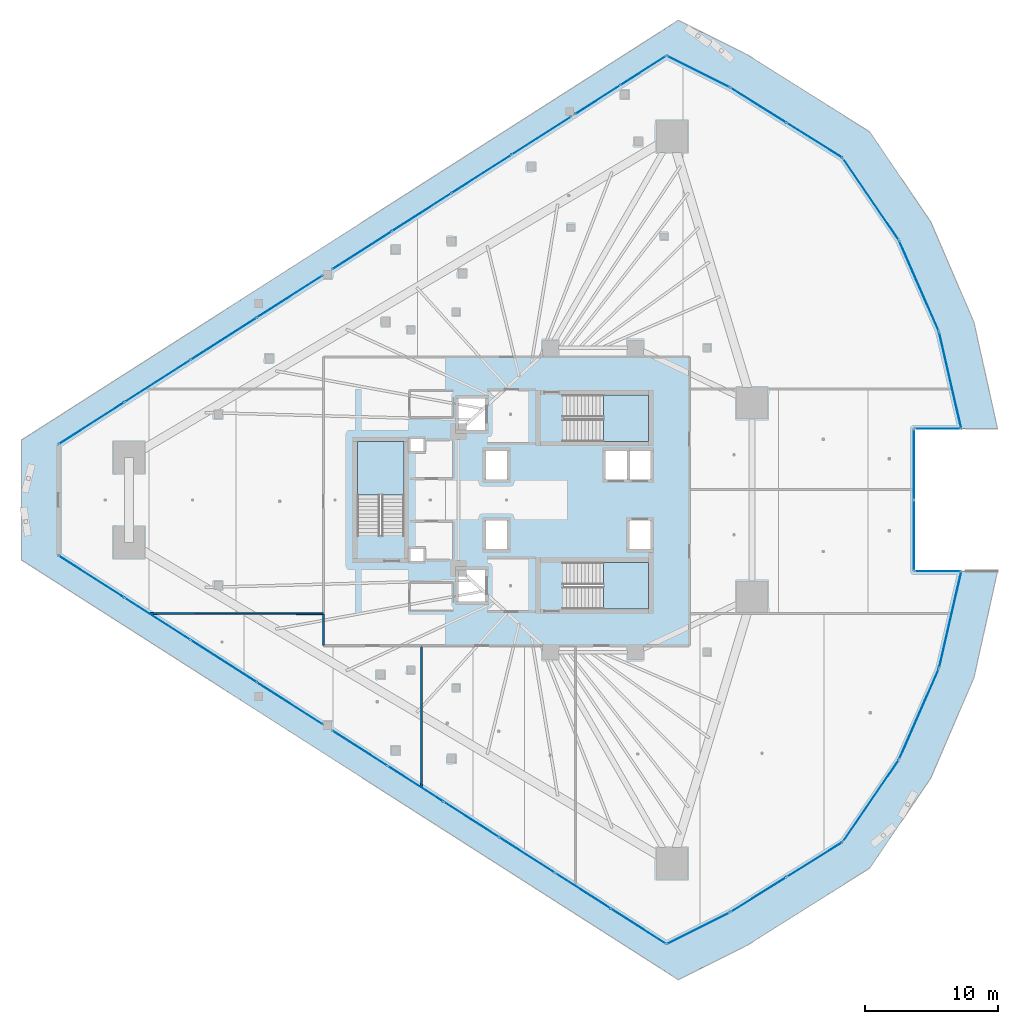
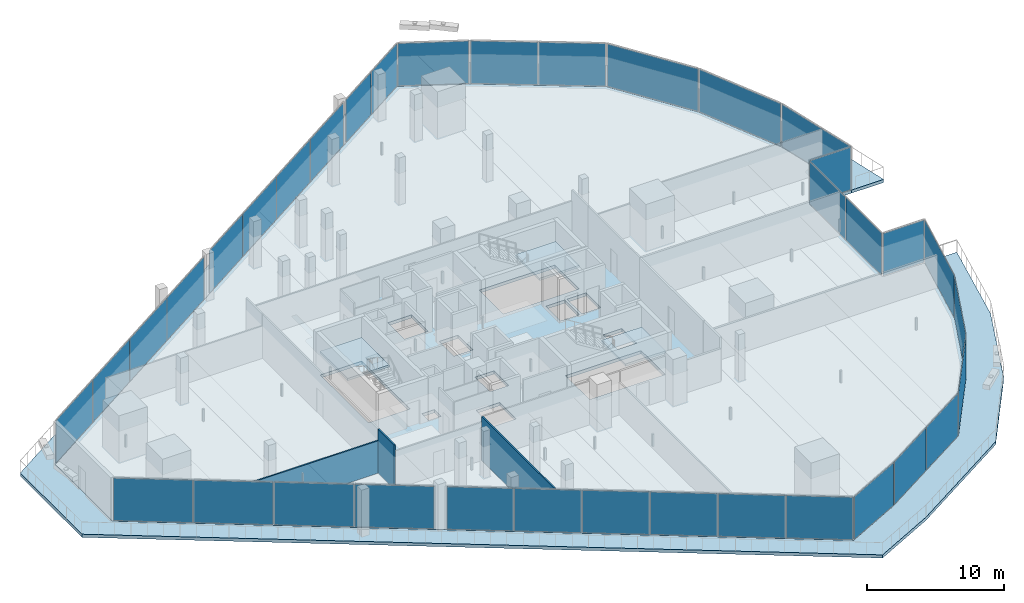
# One storey, part 27 of 44: 36 plates, 5 slabs, 3 walls, 21 elements without a shape of their own.
"""IFC4 building model written with IfcOpenShell, lengths in metres."""

import ifcopenshell
import ifcopenshell.guid

model = None  # the IFC model being written
_history = None  # IfcOwnerHistory: only IFC2X3 demands one
_inside = {}  # id of a spatial element -> (the spatial element, [elements in it])
_under = {}  # id of a project, library or spatial element -> (it, [spatial elements below it])
_declared = {}  # id of a project -> (the project, [libraries it declares])
_typed = {}  # id of a type object -> (the type object, [elements of that type])
_made_of = {}  # id of a material, layer set ... -> (it, [elements and type objects made of it])


def new_model(schema):
    """Start an empty IFC model of exactly this schema.

    Asked for "IFC4X3", IfcOpenShell would pick the latest addendum, in which some entities
    have other attributes; the version numbers below select the first issue.
    IFC2X3 requires an IfcOwnerHistory on every rooted entity: one is made here for all.
    """
    global model, _history
    if schema == "IFC4X3":
        model = ifcopenshell.file(schema_version=(4, 3, 0, 0))
    else:
        model = ifcopenshell.file(schema=schema)
    _inside.clear()
    _under.clear()
    _declared.clear()
    _typed.clear()
    _made_of.clear()
    _history = None
    if model.schema == "IFC2X3":
        org = make("IfcOrganization", Name="unknown")
        user = make(
            "IfcPersonAndOrganization",
            ThePerson=make("IfcPerson", FamilyName="unknown"),
            TheOrganization=org,
        )
        app = make(
            "IfcApplication",
            ApplicationDeveloper=org,
            Version="unknown",
            ApplicationFullName="unknown",
            ApplicationIdentifier="unknown",
        )
        _history = make(
            "IfcOwnerHistory",
            OwningUser=user,
            OwningApplication=app,
            ChangeAction="ADDED",
            CreationDate=0,
        )
    return model


def make(cls, **values):
    """One entity of the class cls with the attributes given. An attribute that is None is left unset."""
    return model.create_entity(
        cls, **{name: value for name, value in values.items() if value is not None}
    )


def rooted(cls, **values):
    """An entity with a GlobalId (a new one), such as an element, a storey or a relation."""
    return make(cls, GlobalId=ifcopenshell.guid.new(), OwnerHistory=_history, **values)


def si_unit(unit_type, name, prefix=None):
    """IfcSIUnit, for example si_unit("LENGTHUNIT", "METRE", prefix="MILLI")."""
    return make("IfcSIUnit", UnitType=unit_type, Prefix=prefix, Name=name)


def assignment(units):
    """IfcUnitAssignment: the units of a project."""
    return None if units is None else make("IfcUnitAssignment", Units=units)


def point(xyz):
    """IfcCartesianPoint."""
    return None if xyz is None else make("IfcCartesianPoint", Coordinates=xyz)


def direction(xyz):
    """IfcDirection."""
    return None if xyz is None else make("IfcDirection", DirectionRatios=xyz)


def frame(location, z_axis=None, x_axis=None):
    """IfcAxis2Placement3D, a coordinate frame: its origin and axes. An axis left out is left unset."""
    return make(
        "IfcAxis2Placement3D",
        Location=point(location),
        Axis=direction(z_axis),
        RefDirection=direction(x_axis),
    )


def frame_2d(location, x_axis=None):
    """IfcAxis2Placement2D, a coordinate frame in the plane: its origin and x axis."""
    return make(
        "IfcAxis2Placement2D", Location=point(location), RefDirection=direction(x_axis)
    )


def origin():
    """The frame at (0, 0, 0) with its axes left unset."""
    return frame((0.0, 0.0, 0.0))


def origin_2d():
    """The frame at (0, 0) in the plane with its x axis left unset."""
    return frame_2d((0.0, 0.0))


def place(relative_to, where):
    """IfcLocalPlacement: puts the frame where relative to a parent placement (None: the world)."""
    return make(
        "IfcLocalPlacement", PlacementRelTo=relative_to, RelativePlacement=where
    )


def context(
    kind, dimensions, precision=None, world=None, true_north=None, identifier=None
):
    """IfcGeometricRepresentationContext, for example the 3D "Model" context."""
    return make(
        "IfcGeometricRepresentationContext",
        ContextIdentifier=identifier,
        ContextType=kind,
        CoordinateSpaceDimension=dimensions,
        Precision=precision,
        WorldCoordinateSystem=world,
        TrueNorth=true_north,
    )


def subcontext(parent, identifier, kind, view, scale=None):
    """IfcGeometricRepresentationSubContext, for example "Body" below "Model"."""
    return make(
        "IfcGeometricRepresentationSubContext",
        ContextIdentifier=identifier,
        ContextType=kind,
        ParentContext=parent,
        TargetScale=scale,
        TargetView=view,
    )


def project(units=None, contexts=None):
    """IfcProject with its units and contexts."""
    return rooted(
        "IfcProject",
        Name="project",
        RepresentationContexts=contexts,
        UnitsInContext=assignment(units),
    )


def spatial(cls, under=None, at=None, **own):
    """A site, building, storey or space (cls), placed at a placement, below another one or the project."""
    s = rooted(cls, ObjectPlacement=at, **own)
    if under is not None:
        _under.setdefault(under.id(), (under, []))[1].append(s)
    return s


def polyline(points):
    """IfcPolyline through the points."""
    return make("IfcPolyline", Points=[point(p) for p in points])


def profile(cls, at=None, kind="AREA", **sizes):
    """A parametric profile (cls). Its sizes go by their IFC names, for example OverallWidth=200.0."""
    return make(cls, ProfileType=kind, Position=at, **sizes)


def rectangle(**sizes):
    """IfcRectangleProfileDef."""
    return profile("IfcRectangleProfileDef", **sizes)


def outline(outer, holes=None, kind="AREA"):
    """IfcArbitraryClosedProfileDef: a profile drawn as a closed curve; with holes, ...WithVoids."""
    if holes is None:
        return make("IfcArbitraryClosedProfileDef", ProfileType=kind, OuterCurve=outer)
    return make(
        "IfcArbitraryProfileDefWithVoids",
        ProfileType=kind,
        OuterCurve=outer,
        InnerCurves=holes,
    )


def extrude(swept, where, along, depth):
    """IfcExtrudedAreaSolid: the profile swept, set in the frame where, extruded along a direction by depth."""
    return make(
        "IfcExtrudedAreaSolid",
        SweptArea=swept,
        Position=where,
        ExtrudedDirection=direction(along),
        Depth=depth,
    )


def shape(context_of_items, identifier, shape_type, items):
    """IfcShapeRepresentation: the items that make up one representation, for example the "Body"."""
    return make(
        "IfcShapeRepresentation",
        ContextOfItems=context_of_items,
        RepresentationIdentifier=identifier,
        RepresentationType=shape_type,
        Items=items,
    )


def material(Name=None, Category=None):
    """IfcMaterial."""
    return make("IfcMaterial", Name=Name, Category=Category)


def layer(
    of_material, thickness, ventilated=None, Name=None, Category=None, Priority=None
):
    """IfcMaterialLayer: one layer of a wall or slab, of a material (None: an air gap)."""
    return make(
        "IfcMaterialLayer",
        Material=of_material,
        LayerThickness=thickness,
        IsVentilated=ventilated,
        Name=Name,
        Category=Category,
        Priority=Priority,
    )


def layer_set(layers, Name=None):
    """IfcMaterialLayerSet."""
    return make("IfcMaterialLayerSet", MaterialLayers=layers, LayerSetName=Name)


def made_of(thing, what):
    """Note that an element or type object is made of a material, layer set ...; save() writes the relation."""
    if what is not None:
        _made_of.setdefault(what.id(), (what, []))[1].append(thing)
    return thing


def type_object(cls, material=None, **own):
    """A type object (cls), such as IfcWallType, which elements share."""
    return made_of(rooted(cls, **own), material)


def element(
    cls,
    number,
    at=None,
    inside=None,
    cuts=None,
    type_object=None,
    material=None,
    context=None,
    identifier="Body",
    shape_type=None,
    held_by="IfcProductDefinitionShape",
    body=None,
    shapes=None,
    **own,
):
    """One element of the class cls, such as IfcWall. Its Tag is "e" and its number.

    at: its placement. inside: the storey or other place that contains it. cuts: it is an
    opening in that element (IfcRelVoidsElement). A single representation is given by context,
    identifier, shape_type and body (its items); several are given by shapes. held_by: the class
    of the entity that holds the representations. save() writes the other relations.
    """
    e = rooted(cls, Tag="e%d" % number, ObjectPlacement=at, **own)
    if body is not None:
        shapes = [shape(context, identifier, shape_type, body)]
    if shapes is not None:
        e.Representation = make(held_by, Representations=shapes)
    if inside is not None:
        _inside.setdefault(inside.id(), (inside, []))[1].append(e)
    if cuts is not None:
        rooted(
            "IfcRelVoidsElement", RelatingBuildingElement=cuts, RelatedOpeningElement=e
        )
    if type_object is not None:
        _typed.setdefault(type_object.id(), (type_object, []))[1].append(e)
    return made_of(e, material)


def aggregate(whole, parts):
    """IfcRelAggregates: a whole, such as a stair, and the parts it consists of."""
    return rooted("IfcRelAggregates", RelatingObject=whole, RelatedObjects=parts)


def save(model, path):
    """Write the relations noted so far, then the file.

    IfcRelAggregates (storeys below a building ...), IfcRelContainedInSpatialStructure (elements
    in a storey), IfcRelDefinesByType, IfcRelAssociatesMaterial and IfcRelDeclares: one each for
    every whole, place, type object, material and project.
    """
    for whole, parts in _under.values():
        aggregate(whole, parts)
    for where, things in _inside.values():
        rooted(
            "IfcRelContainedInSpatialStructure",
            RelatedElements=things,
            RelatingStructure=where,
        )
    for kind, things in _typed.values():
        rooted("IfcRelDefinesByType", RelatedObjects=things, RelatingType=kind)
    for what, things in _made_of.values():
        rooted("IfcRelAssociatesMaterial", RelatedObjects=things, RelatingMaterial=what)
    for by, libraries in _declared.values():
        rooted("IfcRelDeclares", RelatingContext=by, RelatedDefinitions=libraries)
    model.write(path)


model = new_model("IFC4")

# Units and contexts
model_context = context("Model", 3, precision=1e-05, world=origin(), true_north=direction((0.0, 1.0)))
body_context = subcontext(model_context, "Body", "Model", "MODEL_VIEW")
ifc_project = project(units=[si_unit("LENGTHUNIT", "METRE"), si_unit("AREAUNIT", "SQUARE_METRE"), si_unit("VOLUMEUNIT", "CUBIC_METRE"), si_unit("PLANEANGLEUNIT", "RADIAN"), si_unit("MASSUNIT", "GRAM", prefix="KILO")], contexts=[model_context])

# Site, building, storey
site_placement = place(None, origin())
site = spatial("IfcSite", under=ifc_project, at=site_placement, CompositionType="ELEMENT")
building_placement = place(site_placement, origin())
building = spatial("IfcBuilding", under=site, at=building_placement, Name="Qorvath Tower", CompositionType="ELEMENT")
storey_placement = place(building_placement, frame((0.0, 0.0, 40.800048828125)))
storey = spatial("IfcBuildingStorey", under=building, at=storey_placement, Name="L08", CompositionType="ELEMENT", Elevation=40.800048828125)

# Curtain wall, plates
ifc_material_1 = material(Name="Anodised aluminium and triple low-E glass", Category="aluminium")
ifc_layer_1 = layer(ifc_material_1, 0.179931640625)
ifc_layer_set_1 = layer_set([ifc_layer_1], Name="CW-SYS-2")
curtain_wall_type = type_object("IfcCurtainWallType", Name="CW-SYS-2", PredefinedType="NOTDEFINED", material=ifc_layer_set_1)
curtain_wall_1_placement = place(storey_placement, origin())
curtain_wall_1 = element("IfcCurtainWall", 1, at=curtain_wall_1_placement, inside=storey, type_object=curtain_wall_type, Name="Curtain Wall CW-2 CW-T-L08-2.1", PredefinedType="NOTDEFINED")
ifc_material_2 = material(Name="Low-E triple insulated glass", Category="glass")
ifc_layer_2 = layer(ifc_material_2, 0.031982421875)
ifc_layer_set_2 = layer_set([ifc_layer_2], Name="CWP-GLZ-32")
plate_type = type_object("IfcPlateType", Name="CWP-GLZ-32", PredefinedType="CURTAIN_PANEL", material=ifc_layer_set_2)
plate_1_placement = place(storey_placement, frame((-58.10009765625, -5.7744140625, 0.06494140625), z_axis=(0.0, 0.0, 1.0), x_axis=(0.842605152044, -0.538531853978, 0.0)))
plate_1 = element("IfcPlate", 2, at=plate_1_placement, type_object=plate_type, Name="CW-2 panel 1.1", PredefinedType="CURTAIN_PANEL", context=body_context, shape_type="SweptSolid", body=[
    extrude(rectangle(XDim=5.806396484375, YDim=0.031982421875, at=origin_2d()), origin(), (0.0, 0.0, 1.0), 3.7900390625),
])
plate_2_placement = place(storey_placement, frame((-53.13916015625, -8.945068359375, 0.06494140625), z_axis=(0.0, 0.0, 1.0), x_axis=(0.842605152044, -0.538531853978, 0.0)))
plate_2 = element("IfcPlate", 3, at=plate_2_placement, type_object=plate_type, Name="CW-2 panel 2.1", PredefinedType="CURTAIN_PANEL", context=body_context, shape_type="SweptSolid", body=[
    extrude(rectangle(XDim=5.8388671875, YDim=0.031982421875, at=origin_2d()), origin(), (0.0, 0.0, 1.0), 3.7900390625),
])
plate_3_placement = place(storey_placement, frame((-48.164306640625, -12.12451171875, 0.06494140625), z_axis=(0.0, 0.0, 1.0), x_axis=(0.842605152044, -0.538531853978, 0.0)))
plate_3 = element("IfcPlate", 4, at=plate_3_placement, type_object=plate_type, Name="CW-2 panel 3.1", PredefinedType="CURTAIN_PANEL", context=body_context, shape_type="SweptSolid", body=[
    extrude(rectangle(XDim=5.8388671875, YDim=0.031982421875, at=origin_2d()), origin(), (0.0, 0.0, 1.0), 3.7900390625),
])
plate_4_placement = place(storey_placement, frame((-43.203369140625, -15.29541015625, 0.06494140625), z_axis=(0.0, 0.0, 1.0), x_axis=(0.842605152044, -0.538531853978, 0.0)))
plate_4 = element("IfcPlate", 5, at=plate_4_placement, type_object=plate_type, Name="CW-2 panel 4.1", PredefinedType="CURTAIN_PANEL", context=body_context, shape_type="SweptSolid", body=[
    extrude(rectangle(XDim=5.806396484375, YDim=0.031982421875, at=origin_2d()), origin(), (0.0, 0.0, 1.0), 3.7900390625),
])
aggregate(curtain_wall_1, [plate_1, plate_2, plate_3, plate_4])

curtain_wall_2_placement = place(storey_placement, origin())
curtain_wall_2 = element("IfcCurtainWall", 6, at=curtain_wall_2_placement, inside=storey, type_object=curtain_wall_type, Name="Curtain Wall CW-2 CW-T-L08-2.2", PredefinedType="NOTDEFINED")
plate_5_placement = place(storey_placement, frame((-37.916015625, -18.674560546875, 0.06494140625), z_axis=(0.0, 0.0, 1.0), x_axis=(0.842602136698, -0.538536571861, 0.0)))
plate_5 = element("IfcPlate", 7, at=plate_5_placement, type_object=plate_type, Name="CW-2 panel 1.1", PredefinedType="CURTAIN_PANEL", context=body_context, shape_type="SweptSolid", body=[
    extrude(rectangle(XDim=4.879638671875, YDim=0.031982421875, at=origin_2d()), origin(), (0.0, 0.0, 1.0), 3.7900390625),
])
plate_6_placement = place(storey_placement, frame((-33.73583984375, -21.34619140625, 0.06494140625), z_axis=(0.0, 0.0, 1.0), x_axis=(0.842602136698, -0.538536571861, 0.0)))
plate_6 = element("IfcPlate", 8, at=plate_6_placement, type_object=plate_type, Name="CW-2 panel 2.1", PredefinedType="CURTAIN_PANEL", context=body_context, shape_type="SweptSolid", body=[
    extrude(rectangle(XDim=4.912109375, YDim=0.031982421875, at=origin_2d()), origin(), (0.0, 0.0, 1.0), 3.7900390625),
])
plate_7_placement = place(storey_placement, frame((-29.542236328125, -24.026611328125, 0.06494140625), z_axis=(0.0, 0.0, 1.0), x_axis=(0.842602136698, -0.538536571861, 0.0)))
plate_7 = element("IfcPlate", 9, at=plate_7_placement, type_object=plate_type, Name="CW-2 panel 3.1", PredefinedType="CURTAIN_PANEL", context=body_context, shape_type="SweptSolid", body=[
    extrude(rectangle(XDim=4.912109375, YDim=0.031982421875, at=origin_2d()), origin(), (0.0, 0.0, 1.0), 3.7900390625),
])
plate_8_placement = place(storey_placement, frame((-25.348388671875, -26.70703125, 0.06494140625), z_axis=(0.0, 0.0, 1.0), x_axis=(0.842602136698, -0.538536571861, 0.0)))
plate_8 = element("IfcPlate", 10, at=plate_8_placement, type_object=plate_type, Name="CW-2 panel 4.1", PredefinedType="CURTAIN_PANEL", context=body_context, shape_type="SweptSolid", body=[
    extrude(rectangle(XDim=4.912109375, YDim=0.031982421875, at=origin_2d()), origin(), (0.0, 0.0, 1.0), 3.7900390625),
])
plate_9_placement = place(storey_placement, frame((-21.154541015625, -29.387451171875, 0.06494140625), z_axis=(0.0, 0.0, 1.0), x_axis=(0.842602136698, -0.538536571861, 0.0)))
plate_9 = element("IfcPlate", 11, at=plate_9_placement, type_object=plate_type, Name="CW-2 panel 5.1", PredefinedType="CURTAIN_PANEL", context=body_context, shape_type="SweptSolid", body=[
    extrude(rectangle(XDim=4.912109375, YDim=0.031982421875, at=origin_2d()), origin(), (0.0, 0.0, 1.0), 3.7900390625),
])
plate_10_placement = place(storey_placement, frame((-16.974609375, -32.05908203125, 0.06494140625), z_axis=(0.0, 0.0, 1.0), x_axis=(0.842602136698, -0.538536571861, 0.0)))
plate_10 = element("IfcPlate", 12, at=plate_10_placement, type_object=plate_type, Name="CW-2 panel 6.1", PredefinedType="CURTAIN_PANEL", context=body_context, shape_type="SweptSolid", body=[
    extrude(rectangle(XDim=4.879638671875, YDim=0.031982421875, at=origin_2d()), origin(), (0.0, 0.0, 1.0), 3.7900390625),
])
aggregate(curtain_wall_2, [plate_5, plate_6, plate_7, plate_8, plate_9, plate_10])

# Curtain wall, plate
curtain_wall_3_placement = place(storey_placement, origin())
curtain_wall_3 = element("IfcCurtainWall", 13, at=curtain_wall_3_placement, inside=storey, type_object=curtain_wall_type, Name="Curtain Wall CW-2 CW-T-L08-3.1", PredefinedType="NOTDEFINED")
plate_11_placement = place(storey_placement, frame((-12.477783203125, -32.21484375, 0.06494140625), z_axis=(0.0, 0.0, 1.0), x_axis=(0.89440470044, 0.447258573792, 0.0)))
plate_11 = element("IfcPlate", 14, at=plate_11_placement, type_object=plate_type, Name="CW-2 panel 1.1", PredefinedType="CURTAIN_PANEL", context=body_context, shape_type="SweptSolid", body=[
    extrude(rectangle(XDim=5.205810546875, YDim=0.031982421875, at=origin_2d()), origin(), (0.0, 0.0, 1.0), 3.7900390625),
])
aggregate(curtain_wall_3, [plate_11])

# Curtain wall, plates
curtain_wall_4_placement = place(storey_placement, origin())
curtain_wall_4 = element("IfcCurtainWall", 15, at=curtain_wall_4_placement, inside=storey, type_object=curtain_wall_type, Name="Curtain Wall CW-2 CW-T-L08-4.1", PredefinedType="NOTDEFINED")
plate_12_placement = place(storey_placement, frame((-7.9560546875, -29.687744140625, 0.06494140625), z_axis=(0.0, 0.0, 1.0), x_axis=(0.848170054125, 0.529724040691, 0.0)))
plate_12 = element("IfcPlate", 16, at=plate_12_placement, type_object=plate_type, Name="CW-2 panel 1.1", PredefinedType="CURTAIN_PANEL", context=body_context, shape_type="SweptSolid", body=[
    extrude(rectangle(XDim=4.90576171875, YDim=0.031982421875, at=origin_2d()), origin(), (0.0, 0.0, 1.0), 3.7900390625),
])
plate_13_placement = place(storey_placement, frame((-3.73974609375, -27.054443359375, 0.06494140625), z_axis=(0.0, 0.0, 1.0), x_axis=(0.848170054125, 0.529724040691, 0.0)))
plate_13 = element("IfcPlate", 17, at=plate_13_placement, type_object=plate_type, Name="CW-2 panel 2.1", PredefinedType="CURTAIN_PANEL", context=body_context, shape_type="SweptSolid", body=[
    extrude(rectangle(XDim=4.90576171875, YDim=0.031982421875, at=origin_2d()), origin(), (0.0, 0.0, 1.0), 3.7900390625),
])
aggregate(curtain_wall_4, [plate_12, plate_13])

# Curtain wall, plate
curtain_wall_5_placement = place(storey_placement, origin())
curtain_wall_5 = element("IfcCurtainWall", 18, at=curtain_wall_5_placement, inside=storey, type_object=curtain_wall_type, Name="Curtain Wall CW-2 CW-T-L08-5.1", PredefinedType="NOTDEFINED")
plate_14_placement = place(storey_placement, frame((0.509521484375, -22.625, 0.06494140625), z_axis=(0.0, 0.0, 1.0), x_axis=(0.563891314535, 0.825849008834, 0.0)))
plate_14 = element("IfcPlate", 19, at=plate_14_placement, type_object=plate_type, Name="CW-2 panel 1.1", PredefinedType="CURTAIN_PANEL", context=body_context, shape_type="SweptSolid", body=[
    extrude(rectangle(XDim=7.366943359375, YDim=0.031982421875, at=origin_2d()), origin(), (0.0, 0.0, 1.0), 3.7900390625),
])
aggregate(curtain_wall_5, [plate_14])

curtain_wall_6_placement = place(storey_placement, origin())
curtain_wall_6 = element("IfcCurtainWall", 20, at=curtain_wall_6_placement, inside=storey, type_object=curtain_wall_type, Name="Curtain Wall CW-2 CW-T-L08-6.1", PredefinedType="NOTDEFINED")
plate_15_placement = place(storey_placement, frame((4.127197265625, -16.095703125, 0.06494140625), z_axis=(0.0, 0.0, 1.0), x_axis=(0.401177069819, 0.916000523281, 0.0)))
plate_15 = element("IfcPlate", 21, at=plate_15_placement, type_object=plate_type, Name="CW-2 panel 1.1", PredefinedType="CURTAIN_PANEL", context=body_context, shape_type="SweptSolid", body=[
    extrude(rectangle(XDim=7.366943359375, YDim=0.031982421875, at=origin_2d()), origin(), (0.0, 0.0, 1.0), 3.7900390625),
])
aggregate(curtain_wall_6, [plate_15])

curtain_wall_7_placement = place(storey_placement, origin())
curtain_wall_7 = element("IfcCurtainWall", 22, at=curtain_wall_7_placement, inside=storey, type_object=curtain_wall_type, Name="Curtain Wall CW-2 CW-T-L08-7.1", PredefinedType="NOTDEFINED")
plate_16_placement = place(storey_placement, frame((6.47265625, -9.009521484375, 0.06494140625), z_axis=(0.0, 0.0, 1.0), x_axis=(0.224535087188, 0.974466004857, 0.0)))
plate_16 = element("IfcPlate", 23, at=plate_16_placement, type_object=plate_type, Name="CW-2 panel 1.1", PredefinedType="CURTAIN_PANEL", context=body_context, shape_type="SweptSolid", body=[
    extrude(rectangle(XDim=7.366943359375, YDim=0.031982421875, at=origin_2d()), origin(), (0.0, 0.0, 1.0), 3.7900390625),
])
aggregate(curtain_wall_7, [plate_16])

curtain_wall_8_placement = place(storey_placement, origin())
curtain_wall_8 = element("IfcCurtainWall", 24, at=curtain_wall_8_placement, inside=storey, type_object=curtain_wall_type, Name="Curtain Wall CW-2 CW-T-L08-8.1", PredefinedType="NOTDEFINED")
plate_17_placement = place(storey_placement, frame((5.528564453125, -5.356689453125, 0.06494140625), z_axis=(0.0, 0.0, 1.0), x_axis=(-1.0, 0.0, 0.0)))
plate_17 = element("IfcPlate", 25, at=plate_17_placement, type_object=plate_type, Name="CW-2 panel 1.1", PredefinedType="CURTAIN_PANEL", context=body_context, shape_type="SweptSolid", body=[
    extrude(rectangle(XDim=3.44140625, YDim=0.031982421875, at=origin_2d()), origin(), (0.0, 0.0, 1.0), 3.7900390625),
])
aggregate(curtain_wall_8, [plate_17])

# Curtain wall, plates
curtain_wall_9_placement = place(storey_placement, origin())
curtain_wall_9 = element("IfcCurtainWall", 26, at=curtain_wall_9_placement, inside=storey, type_object=curtain_wall_type, Name="Curtain Wall CW-2 CW-T-L08-9.1", PredefinedType="NOTDEFINED")
plate_18_placement = place(storey_placement, frame((3.742919921875, -2.662109375, 0.06494140625), z_axis=(0.0, 0.0, 1.0), x_axis=(0.0, 1.0, 0.0)))
plate_18 = element("IfcPlate", 27, at=plate_18_placement, type_object=plate_type, Name="CW-2 panel 1.1", PredefinedType="CURTAIN_PANEL", context=body_context, shape_type="SweptSolid", body=[
    extrude(rectangle(XDim=5.25927734375, YDim=0.031982421875, at=origin_2d()), origin(), (0.0, 0.0, 1.0), 3.7900390625),
])
plate_19_placement = place(storey_placement, frame((3.742919921875, 2.662109375, 0.06494140625), z_axis=(0.0, 0.0, 1.0), x_axis=(0.0, 1.0, 0.0)))
plate_19 = element("IfcPlate", 28, at=plate_19_placement, type_object=plate_type, Name="CW-2 panel 2.1", PredefinedType="CURTAIN_PANEL", context=body_context, shape_type="SweptSolid", body=[
    extrude(rectangle(XDim=5.25927734375, YDim=0.031982421875, at=origin_2d()), origin(), (0.0, 0.0, 1.0), 3.7900390625),
])
aggregate(curtain_wall_9, [plate_18, plate_19])

# Curtain wall, plate
curtain_wall_10_placement = place(storey_placement, origin())
curtain_wall_10 = element("IfcCurtainWall", 29, at=curtain_wall_10_placement, inside=storey, type_object=curtain_wall_type, Name="Curtain Wall CW-2 CW-T-L08-10.1", PredefinedType="NOTDEFINED")
plate_20_placement = place(storey_placement, frame((5.528564453125, 5.356689453125, 0.06494140625), z_axis=(0.0, 0.0, 1.0), x_axis=(1.0, 0.0, 0.0)))
plate_20 = element("IfcPlate", 30, at=plate_20_placement, type_object=plate_type, Name="CW-2 panel 1.1", PredefinedType="CURTAIN_PANEL", context=body_context, shape_type="SweptSolid", body=[
    extrude(rectangle(XDim=3.44140625, YDim=0.031982421875, at=origin_2d()), origin(), (0.0, 0.0, 1.0), 3.7900390625),
])
aggregate(curtain_wall_10, [plate_20])

curtain_wall_11_placement = place(storey_placement, origin())
curtain_wall_11 = element("IfcCurtainWall", 31, at=curtain_wall_11_placement, inside=storey, type_object=curtain_wall_type, Name="Curtain Wall CW-2 CW-T-L08-11.1", PredefinedType="NOTDEFINED")
plate_21_placement = place(storey_placement, frame((6.47265625, 9.009521484375, 0.06494140625), z_axis=(0.0, 0.0, 1.0), x_axis=(-0.224535087188, 0.974466004857, 0.0)))
plate_21 = element("IfcPlate", 32, at=plate_21_placement, type_object=plate_type, Name="CW-2 panel 1.1", PredefinedType="CURTAIN_PANEL", context=body_context, shape_type="SweptSolid", body=[
    extrude(rectangle(XDim=7.366943359375, YDim=0.031982421875, at=origin_2d()), origin(), (0.0, 0.0, 1.0), 3.7900390625),
])
aggregate(curtain_wall_11, [plate_21])

curtain_wall_12_placement = place(storey_placement, origin())
curtain_wall_12 = element("IfcCurtainWall", 33, at=curtain_wall_12_placement, inside=storey, type_object=curtain_wall_type, Name="Curtain Wall CW-2 CW-T-L08-12.1", PredefinedType="NOTDEFINED")
plate_22_placement = place(storey_placement, frame((4.127197265625, 16.095703125, 0.06494140625), z_axis=(0.0, 0.0, 1.0), x_axis=(-0.401177069819, 0.916000523281, 0.0)))
plate_22 = element("IfcPlate", 34, at=plate_22_placement, type_object=plate_type, Name="CW-2 panel 1.1", PredefinedType="CURTAIN_PANEL", context=body_context, shape_type="SweptSolid", body=[
    extrude(rectangle(XDim=7.366943359375, YDim=0.031982421875, at=origin_2d()), origin(), (0.0, 0.0, 1.0), 3.7900390625),
])
aggregate(curtain_wall_12, [plate_22])

curtain_wall_13_placement = place(storey_placement, origin())
curtain_wall_13 = element("IfcCurtainWall", 35, at=curtain_wall_13_placement, inside=storey, type_object=curtain_wall_type, Name="Curtain Wall CW-2 CW-T-L08-13.1", PredefinedType="NOTDEFINED")
plate_23_placement = place(storey_placement, frame((0.509521484375, 22.625, 0.06494140625), z_axis=(0.0, 0.0, 1.0), x_axis=(-0.563891314535, 0.825849008834, 0.0)))
plate_23 = element("IfcPlate", 36, at=plate_23_placement, type_object=plate_type, Name="CW-2 panel 1.1", PredefinedType="CURTAIN_PANEL", context=body_context, shape_type="SweptSolid", body=[
    extrude(rectangle(XDim=7.366943359375, YDim=0.031982421875, at=origin_2d()), origin(), (0.0, 0.0, 1.0), 3.7900390625),
])
aggregate(curtain_wall_13, [plate_23])

# Curtain wall, plates
curtain_wall_14_placement = place(storey_placement, origin())
curtain_wall_14 = element("IfcCurtainWall", 37, at=curtain_wall_14_placement, inside=storey, type_object=curtain_wall_type, Name="Curtain Wall CW-2 CW-T-L08-14.1", PredefinedType="NOTDEFINED")
plate_24_placement = place(storey_placement, frame((-3.73974609375, 27.054443359375, 0.06494140625), z_axis=(0.0, 0.0, 1.0), x_axis=(-0.848170054125, 0.529724040691, 0.0)))
plate_24 = element("IfcPlate", 38, at=plate_24_placement, type_object=plate_type, Name="CW-2 panel 1.1", PredefinedType="CURTAIN_PANEL", context=body_context, shape_type="SweptSolid", body=[
    extrude(rectangle(XDim=4.90576171875, YDim=0.031982421875, at=origin_2d()), origin(), (0.0, 0.0, 1.0), 3.7900390625),
])
plate_25_placement = place(storey_placement, frame((-7.9560546875, 29.687744140625, 0.06494140625), z_axis=(0.0, 0.0, 1.0), x_axis=(-0.848170054125, 0.529724040691, 0.0)))
plate_25 = element("IfcPlate", 39, at=plate_25_placement, type_object=plate_type, Name="CW-2 panel 2.1", PredefinedType="CURTAIN_PANEL", context=body_context, shape_type="SweptSolid", body=[
    extrude(rectangle(XDim=4.90576171875, YDim=0.031982421875, at=origin_2d()), origin(), (0.0, 0.0, 1.0), 3.7900390625),
])
aggregate(curtain_wall_14, [plate_24, plate_25])

# Curtain wall, plate
curtain_wall_15_placement = place(storey_placement, origin())
curtain_wall_15 = element("IfcCurtainWall", 40, at=curtain_wall_15_placement, inside=storey, type_object=curtain_wall_type, Name="Curtain Wall CW-2 CW-T-L08-15.1", PredefinedType="NOTDEFINED")
plate_26_placement = place(storey_placement, frame((-12.477783203125, 32.21484375, 0.06494140625), z_axis=(0.0, 0.0, 1.0), x_axis=(-0.89440470044, 0.447258573792, 0.0)))
plate_26 = element("IfcPlate", 41, at=plate_26_placement, type_object=plate_type, Name="CW-2 panel 1.1", PredefinedType="CURTAIN_PANEL", context=body_context, shape_type="SweptSolid", body=[
    extrude(rectangle(XDim=5.205810546875, YDim=0.031982421875, at=origin_2d()), origin(), (0.0, 0.0, 1.0), 3.7900390625),
])
aggregate(curtain_wall_15, [plate_26])

# Curtain wall, plates
curtain_wall_16_placement = place(storey_placement, origin())
curtain_wall_16 = element("IfcCurtainWall", 42, at=curtain_wall_16_placement, inside=storey, type_object=curtain_wall_type, Name="Curtain Wall CW-2 CW-T-L08-16.1", PredefinedType="NOTDEFINED")
plate_27_placement = place(storey_placement, frame((-16.60205078125, 32.297119140625, 0.06494140625), z_axis=(0.0, 0.0, 1.0), x_axis=(-0.842604485719, -0.538532896531, 0.0)))
plate_27 = element("IfcPlate", 43, at=plate_27_placement, type_object=plate_type, Name="CW-2 panel 1.1", PredefinedType="CURTAIN_PANEL", context=body_context, shape_type="SweptSolid", body=[
    extrude(rectangle(XDim=3.995361328125, YDim=0.031982421875, at=origin_2d()), origin(), (0.0, 0.0, 1.0), 3.7900390625),
])
plate_28_placement = place(storey_placement, frame((-20.023193359375, 30.110595703125, 0.06494140625), z_axis=(0.0, 0.0, 1.0), x_axis=(-0.842604485719, -0.538532896531, 0.0)))
plate_28 = element("IfcPlate", 44, at=plate_28_placement, type_object=plate_type, Name="CW-2 panel 2.1", PredefinedType="CURTAIN_PANEL", context=body_context, shape_type="SweptSolid", body=[
    extrude(rectangle(XDim=3.995361328125, YDim=0.031982421875, at=origin_2d()), origin(), (0.0, 0.0, 1.0), 3.7900390625),
])
aggregate(curtain_wall_16, [plate_27, plate_28])

curtain_wall_17_placement = place(storey_placement, origin())
curtain_wall_17 = element("IfcCurtainWall", 45, at=curtain_wall_17_placement, inside=storey, type_object=curtain_wall_type, Name="Curtain Wall CW-2 CW-T-L08-16.2", PredefinedType="NOTDEFINED")
plate_29_placement = place(storey_placement, frame((-24.282958984375, 27.38818359375, 0.06494140625), z_axis=(0.0, 0.0, 1.0), x_axis=(-0.842599245537, -0.538541095387, 0.0)))
plate_29 = element("IfcPlate", 46, at=plate_29_placement, type_object=plate_type, Name="CW-2 panel 1.1", PredefinedType="CURTAIN_PANEL", context=body_context, shape_type="SweptSolid", body=[
    extrude(rectangle(XDim=5.24560546875, YDim=0.031982421875, at=origin_2d()), origin(), (0.0, 0.0, 1.0), 3.7900390625),
])
plate_30_placement = place(storey_placement, frame((-28.771240234375, 24.51953125, 0.06494140625), z_axis=(0.0, 0.0, 1.0), x_axis=(-0.842599245537, -0.538541095387, 0.0)))
plate_30 = element("IfcPlate", 47, at=plate_30_placement, type_object=plate_type, Name="CW-2 panel 2.1", PredefinedType="CURTAIN_PANEL", context=body_context, shape_type="SweptSolid", body=[
    extrude(rectangle(XDim=5.278076171875, YDim=0.031982421875, at=origin_2d()), origin(), (0.0, 0.0, 1.0), 3.7900390625),
])
plate_31_placement = place(storey_placement, frame((-33.2734375, 21.641845703125, 0.06494140625), z_axis=(0.0, 0.0, 1.0), x_axis=(-0.842599245537, -0.538541095387, 0.0)))
plate_31 = element("IfcPlate", 48, at=plate_31_placement, type_object=plate_type, Name="CW-2 panel 3.1", PredefinedType="CURTAIN_PANEL", context=body_context, shape_type="SweptSolid", body=[
    extrude(rectangle(XDim=5.278076171875, YDim=0.031982421875, at=origin_2d()), origin(), (0.0, 0.0, 1.0), 3.7900390625),
])
plate_32_placement = place(storey_placement, frame((-37.761962890625, 18.773193359375, 0.06494140625), z_axis=(0.0, 0.0, 1.0), x_axis=(-0.842599245537, -0.538541095387, 0.0)))
plate_32 = element("IfcPlate", 49, at=plate_32_placement, type_object=plate_type, Name="CW-2 panel 4.1", PredefinedType="CURTAIN_PANEL", context=body_context, shape_type="SweptSolid", body=[
    extrude(rectangle(XDim=5.24560546875, YDim=0.031982421875, at=origin_2d()), origin(), (0.0, 0.0, 1.0), 3.7900390625),
])
aggregate(curtain_wall_17, [plate_29, plate_30, plate_31, plate_32])

curtain_wall_18_placement = place(storey_placement, origin())
curtain_wall_18 = element("IfcCurtainWall", 50, at=curtain_wall_18_placement, inside=storey, type_object=curtain_wall_type, Name="Curtain Wall CW-2 CW-T-L08-16.3", PredefinedType="NOTDEFINED")
plate_33_placement = place(storey_placement, frame((-43.203369140625, 15.29541015625, 0.06494140625), z_axis=(0.0, 0.0, 1.0), x_axis=(-0.842605152044, -0.538531853978, 0.0)))
plate_33 = element("IfcPlate", 51, at=plate_33_placement, type_object=plate_type, Name="CW-2 panel 1.1", PredefinedType="CURTAIN_PANEL", context=body_context, shape_type="SweptSolid", body=[
    extrude(rectangle(XDim=5.806396484375, YDim=0.031982421875, at=origin_2d()), origin(), (0.0, 0.0, 1.0), 3.7900390625),
])
plate_34_placement = place(storey_placement, frame((-48.164306640625, 12.12451171875, 0.06494140625), z_axis=(0.0, 0.0, 1.0), x_axis=(-0.842605152044, -0.538531853978, 0.0)))
plate_34 = element("IfcPlate", 52, at=plate_34_placement, type_object=plate_type, Name="CW-2 panel 2.1", PredefinedType="CURTAIN_PANEL", context=body_context, shape_type="SweptSolid", body=[
    extrude(rectangle(XDim=5.8388671875, YDim=0.031982421875, at=origin_2d()), origin(), (0.0, 0.0, 1.0), 3.7900390625),
])
plate_35_placement = place(storey_placement, frame((-53.13916015625, 8.945068359375, 0.06494140625), z_axis=(0.0, 0.0, 1.0), x_axis=(-0.842605152044, -0.538531853978, 0.0)))
plate_35 = element("IfcPlate", 53, at=plate_35_placement, type_object=plate_type, Name="CW-2 panel 3.1", PredefinedType="CURTAIN_PANEL", context=body_context, shape_type="SweptSolid", body=[
    extrude(rectangle(XDim=5.8388671875, YDim=0.031982421875, at=origin_2d()), origin(), (0.0, 0.0, 1.0), 3.7900390625),
])
plate_36_placement = place(storey_placement, frame((-58.10009765625, 5.7744140625, 0.06494140625), z_axis=(0.0, 0.0, 1.0), x_axis=(-0.842605152044, -0.538531853978, 0.0)))
plate_36 = element("IfcPlate", 54, at=plate_36_placement, type_object=plate_type, Name="CW-2 panel 4.1", PredefinedType="CURTAIN_PANEL", context=body_context, shape_type="SweptSolid", body=[
    extrude(rectangle(XDim=5.806396484375, YDim=0.031982421875, at=origin_2d()), origin(), (0.0, 0.0, 1.0), 3.7900390625),
])
aggregate(curtain_wall_18, [plate_33, plate_34, plate_35, plate_36])

# Stair, slab
ifc_material_3 = material(Name="Concrete C50/60", Category="concrete")
stair_type = type_object("IfcStairType", Name="ST-H420", PredefinedType="HALF_TURN_STAIR", material=ifc_material_3)
stair_1_placement = place(storey_placement, origin())
stair_1 = element("IfcStair", 55, at=stair_1_placement, inside=storey, type_object=stair_type, Name="L08 Tower Exit Stair 1", PredefinedType="HALF_TURN_STAIR")
ifc_material_4 = material(Name="Concrete C50/60", Category="concrete")
ifc_layer_3 = layer(ifc_material_4, 0.199951171875)
ifc_layer_set_3 = layer_set([ifc_layer_3], Name="SL-LND-200")
slab_type_1 = type_object("IfcSlabType", Name="SL-LND-200", PredefinedType="LANDING", material=ifc_layer_set_3)
slab_1_placement = place(storey_placement, frame((0.0, 0.0, 1.89990234375)))
slab_1 = element("IfcSlab", 56, at=slab_1_placement, type_object=slab_type_1, Name="TS1 landing 1", PredefinedType="LANDING", context=body_context, shape_type="SweptSolid", body=[
    extrude(outline(polyline([(-19.590087890625, 4.39990234375), (-16.199951171875, 4.39990234375), (-16.199951171875, 7.909912109375), (-19.590087890625, 7.909912109375), (-19.590087890625, 4.39990234375)])), origin(), (0.0, 0.0, 1.0), 0.199951171875),
])
aggregate(stair_1, [slab_1])

stair_2_placement = place(storey_placement, origin())
stair_2 = element("IfcStair", 57, at=stair_2_placement, inside=storey, type_object=stair_type, Name="L08 Tower Exit Stair 2", PredefinedType="HALF_TURN_STAIR")
slab_2_placement = place(storey_placement, frame((0.0, 0.0, 1.89990234375)))
slab_2 = element("IfcSlab", 58, at=slab_2_placement, type_object=slab_type_1, Name="TS2 landing 1", PredefinedType="LANDING", context=body_context, shape_type="SweptSolid", body=[
    extrude(outline(polyline([(-19.590087890625, -8.199951171875), (-16.199951171875, -8.199951171875), (-16.199951171875, -4.68994140625), (-19.590087890625, -4.68994140625), (-19.590087890625, -8.199951171875)])), origin(), (0.0, 0.0, 1.0), 0.199951171875),
])
aggregate(stair_2, [slab_2])

stair_3_placement = place(storey_placement, origin())
stair_3 = element("IfcStair", 59, at=stair_3_placement, inside=storey, type_object=stair_type, Name="L08 Tower Exit Stair 3", PredefinedType="HALF_TURN_STAIR")
slab_3_placement = place(storey_placement, frame((0.0, 0.0, 1.89990234375)))
slab_3 = element("IfcSlab", 60, at=slab_3_placement, type_object=slab_type_1, Name="TS3 landing 1", PredefinedType="LANDING", context=body_context, shape_type="SweptSolid", body=[
    extrude(outline(polyline([(-34.60009765625, 0.360107421875), (-34.60009765625, 4.39990234375), (-38.110107421875, 4.39990234375), (-38.110107421875, 0.360107421875), (-34.60009765625, 0.360107421875)])), origin(), (0.0, 0.0, 1.0), 0.199951171875),
])
aggregate(stair_3, [slab_3])

# Slabs
ifc_material_5 = material(Name="Precast concrete C45/55", Category="concrete")
ifc_layer_4 = layer(ifc_material_5, 0.280029296875)
ifc_layer_set_4 = layer_set([ifc_layer_4], Name="SL-LOG-280")
slab_type_2 = type_object("IfcSlabType", Name="SL-LOG-280", PredefinedType="FLOOR", material=ifc_layer_set_4)
slab_4_placement = place(storey_placement, frame((0.0, 0.0, -0.280029296875)))
element("IfcSlab", 61, at=slab_4_placement, inside=storey, type_object=slab_type_2, Name="Tower L08 Perimeter Loggia and Terrace Slab", PredefinedType="FLOOR", context=body_context, shape_type="SweptSolid", body=[
    extrude(outline(polyline([(7.314208984375, -5.356689453125), (5.630859375, -12.662109375), (2.623291015625, -19.529296875), (-1.604248046875, -25.720703125), (-10.091552734375, -31.021484375), (-14.864013671875, -33.407958984375), (-60.60107421875, -4.176025390625), (-60.60107421875, 4.176025390625), (-14.864013671875, 33.407958984375), (-10.091552734375, 31.021484375), (-1.604248046875, 25.720703125), (2.623291015625, 19.529296875), (5.630859375, 12.662109375), (7.314208984375, 5.356689453125), (10.030029296875, 5.356689453125), (8.257568359375, 13.365966796875), (5.013427734375, 20.900146484375), (0.4130859375, 27.691650390625), (-8.82080078125, 33.499267578125), (-13.974609375, 36.076171875), (-63.364501953125, 4.509521484375), (-63.364501953125, -4.509521484375), (-13.974609375, -36.076171875), (-8.82080078125, -33.499267578125), (0.4130859375, -27.691650390625), (5.013427734375, -20.900146484375), (8.257568359375, -13.365966796875), (10.030029296875, -5.356689453125), (7.314208984375, -5.356689453125)])), origin(), (0.0, 0.0, 1.0), 0.280029296875),
])
ifc_material_6 = material(Name="Concrete C45/55", Category="concrete")
ifc_layer_5 = layer(ifc_material_6, 0.280029296875)
ifc_layer_set_5 = layer_set([ifc_layer_5], Name="SL-TYP-280")
slab_type_3 = type_object("IfcSlabType", Name="SL-TYP-280", PredefinedType="FLOOR", material=ifc_layer_set_5)
slab_5_placement = place(storey_placement, frame((0.0, 0.0, -0.280029296875)))
element("IfcSlab", 62, at=slab_5_placement, inside=storey, type_object=slab_type_3, Name="Tower L08 Interior Floor Slab", PredefinedType="FLOOR", context=body_context, shape_type="SweptSolid", body=[
    extrude(outline(polyline([(-60.60107421875, 4.176025390625), (-60.60107421875, -4.176025390625), (-14.864013671875, -33.407958984375), (-10.091552734375, -31.021484375), (-1.604248046875, -25.720703125), (2.623291015625, -19.529296875), (5.630859375, -12.662109375), (7.314208984375, -5.356689453125), (3.742919921875, -5.356689453125), (3.742919921875, 5.356689453125), (7.314208984375, 5.356689453125), (5.630859375, 12.662109375), (2.623291015625, 19.529296875), (-1.604248046875, 25.720703125), (-10.091552734375, 31.021484375), (-14.864013671875, 33.407958984375), (-60.60107421875, 4.176025390625)]), holes=[polyline([(-17.64990234375, -3.699951171875), (-17.64990234375, -1.550048828125), (-16.050048828125, -1.550048828125), (-16.050048828125, -3.699951171875), (-17.64990234375, -3.699951171875)]), polyline([(-17.64990234375, 1.550048828125), (-17.64990234375, 3.699951171875), (-16.050048828125, 3.699951171875), (-16.050048828125, 1.550048828125), (-17.64990234375, 1.550048828125)]), polyline([(-16.2451171875, -8.199951171875), (-22.625, -8.199951171875), (-22.625, -4.68994140625), (-16.2451171875, -4.68994140625), (-16.2451171875, -8.199951171875)]), polyline([(-22.625, 4.39990234375), (-22.625, 7.909912109375), (-16.2451171875, 7.909912109375), (-16.2451171875, 4.39990234375), (-22.625, 4.39990234375)]), polyline([(-17.85009765625, 1.550048828125), (-19.449951171875, 1.550048828125), (-19.449951171875, 3.699951171875), (-17.85009765625, 3.699951171875), (-17.85009765625, 1.550048828125)]), polyline([(-28.449951171875, -3.699951171875), (-28.449951171875, -1.550048828125), (-26.85009765625, -1.550048828125), (-26.85009765625, -3.699951171875), (-28.449951171875, -3.699951171875)]), polyline([(-26.85009765625, 1.550048828125), (-28.449951171875, 1.550048828125), (-28.449951171875, 3.699951171875), (-26.85009765625, 3.699951171875), (-26.85009765625, 1.550048828125)]), polyline([(-28.5, -7.64990234375), (-30.5, -7.64990234375), (-30.5, -5.25), (-28.5, -5.25), (-28.5, -7.64990234375)]), polyline([(-30.5, 5.25), (-30.5, 7.64990234375), (-28.5, 7.64990234375), (-28.5, 5.25), (-30.5, 5.25)]), polyline([(-34.14990234375, -4.6201171875), (-34.14990234375, -3.64990234375), (-33.10009765625, -3.64990234375), (-33.10009765625, -4.6201171875), (-34.14990234375, -4.6201171875)]), polyline([(-34.14990234375, 3.64990234375), (-34.14990234375, 4.6201171875), (-33.10009765625, 4.6201171875), (-33.10009765625, 3.64990234375), (-34.14990234375, 3.64990234375)]), polyline([(-34.60009765625, -2.675048828125), (-38.110107421875, -2.675048828125), (-38.110107421875, 4.35498046875), (-34.60009765625, 4.35498046875), (-34.60009765625, -2.675048828125)])]), origin(), (0.0, 0.0, 1.0), 0.280029296875),
])

# Walls
ifc_material_7 = material(Name="Gypsum board on metal studs with mineral wool", Category="gypsum")
ifc_layer_6 = layer(ifc_material_7, 0.125)
ifc_layer_set_6 = layer_set([ifc_layer_6], Name="IW-PART-125")
wall_type = type_object("IfcWallType", Name="IW-PART-125", PredefinedType="PARTITIONING", material=ifc_layer_set_6)
wall_1_placement = place(storey_placement, frame((-33.282470703125, -21.55615234375, 0.0), z_axis=(0.0, 0.0, 1.0), x_axis=(0.0, 1.0, 0.0)))
element("IfcWall", 63, at=wall_1_placement, inside=storey, type_object=wall_type, Name="Interior Partition IW-T1-L08-025", PredefinedType="PARTITIONING", context=body_context, shape_type="SweptSolid", body=[
    extrude(rectangle(XDim=10.5732421875, YDim=0.125, at=frame_2d((5.28662109375, 0.0))), origin(), (0.0, 0.0, 1.0), 3.919921875),
])
wall_2_placement = place(storey_placement, frame((-40.657958984375, -8.574951171875, 0.0), z_axis=(0.0, 0.0, 1.0), x_axis=(0.0, -1.0, 0.0)))
element("IfcWall", 64, at=wall_2_placement, inside=storey, type_object=wall_type, Name="Interior Partition IW-T1-L08-027", PredefinedType="PARTITIONING", context=body_context, shape_type="SweptSolid", body=[
    extrude(rectangle(XDim=2.358154296875, YDim=0.125, at=frame_2d((1.17919921875, 0.0))), origin(), (0.0, 0.0, 1.0), 3.919921875),
])
wall_3_placement = place(storey_placement, frame((-40.68310546875, -8.550048828125, 0.0), z_axis=(0.0, 0.0, 1.0), x_axis=(-0.99999962754, 0.000863087657, 0.0)))
element("IfcWall", 65, at=wall_3_placement, inside=storey, type_object=wall_type, Name="Interior Partition IW-T1-L08-028", PredefinedType="PARTITIONING", context=body_context, shape_type="SweptSolid", body=[
    extrude(rectangle(XDim=13.011962890625, YDim=0.125, at=frame_2d((6.505859375, 0.0))), origin(), (0.0, 0.0, 1.0), 2.889892578125),
])

save(model, "model.ifc")
